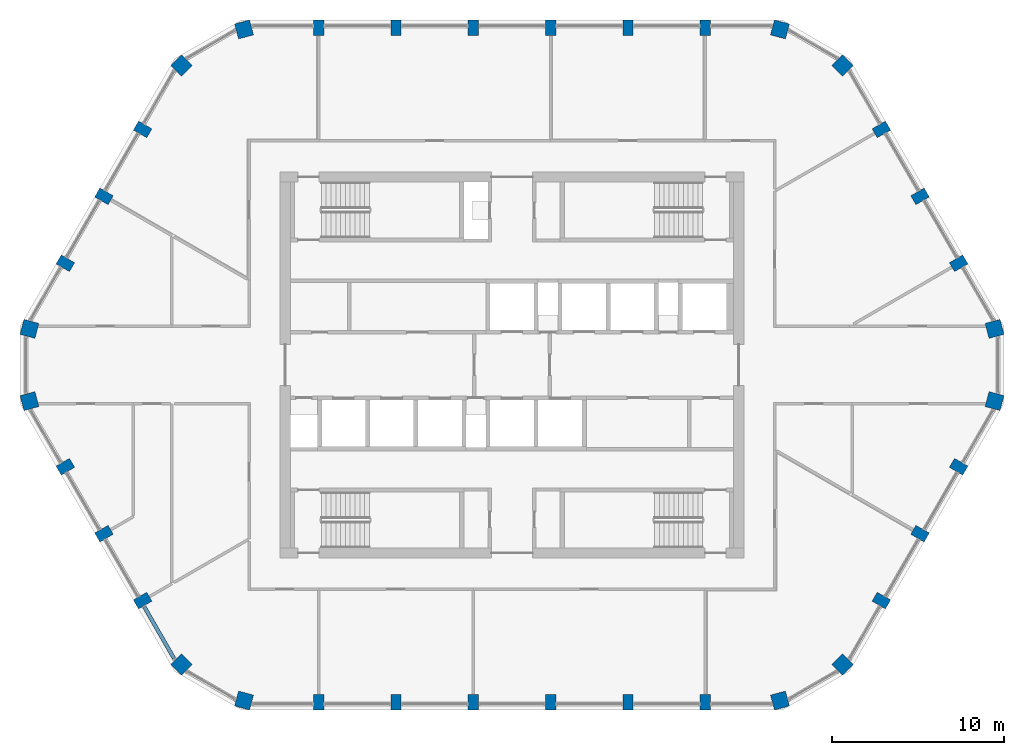
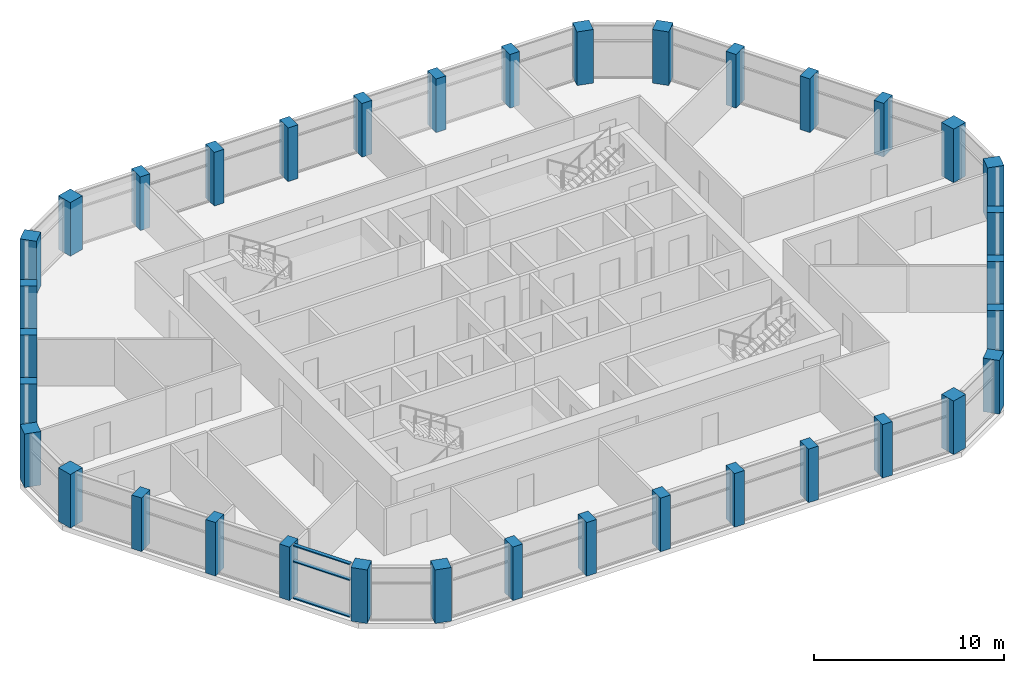
# One storey, part 1 of 15: 36 columns, 3 members, 1 element without a shape of its own.
"""IFC4 building model written with IfcOpenShell, lengths in metres."""

from ifc_helpers import new_model, si_unit, direction, frame, origin, origin_2d, place, context, subcontext, project, spatial, rectangle, extrude, material, layer, layer_set, material_profile, profile_set, type_object, element, aggregate, save


model = new_model("IFC4")

# Units and contexts
model_context = context("Model", 3, precision=1e-05, world=origin(), true_north=direction((0.0, 1.0)))
body_context = subcontext(model_context, "Body", "Model", "MODEL_VIEW")
ifc_project = project(units=[si_unit("LENGTHUNIT", "METRE"), si_unit("AREAUNIT", "SQUARE_METRE"), si_unit("VOLUMEUNIT", "CUBIC_METRE"), si_unit("PLANEANGLEUNIT", "RADIAN"), si_unit("MASSUNIT", "GRAM", prefix="KILO")], contexts=[model_context])

# Site, building, storey
site_placement = place(None, origin())
site = spatial("IfcSite", under=ifc_project, at=site_placement, CompositionType="ELEMENT")
building_placement = place(site_placement, origin())
building = spatial("IfcBuilding", under=site, at=building_placement, Name="Dhurran Vertical Campus", CompositionType="ELEMENT")
storey_placement = place(building_placement, frame((0.0, 0.0, 306.0)))
storey = spatial("IfcBuildingStorey", under=building, at=storey_placement, Name="L76", CompositionType="ELEMENT", Elevation=306.0)

# Columns
ifc_material_1 = material(Name="Concrete C50/60", Category="concrete")
ifc_material_profile_1 = material_profile(ifc_material_1, rectangle(XDim=0.60009765625, YDim=0.89990234375, at=origin_2d()), Name="RC 600x900")
ifc_profile_set_1 = profile_set([ifc_material_profile_1], Name="Concrete C50/60")
column_type_1 = type_object("IfcColumnType", Name="FR COL RC 600x900 C50/60", PredefinedType="COLUMN", material=ifc_profile_set_1)
for number, where, z_axis, x_axis, name in (
    (1, (-11.25, -19.638427734375, 0.0), (0.0, 0.0, 1.0), (1.0, 0.0, 0.0), "Perimeter pier PP6.01"),
    (2, (-6.75, -19.638427734375, 0.0), (0.0, 0.0, 1.0), (1.0, 0.0, 0.0), "Perimeter pier PP6.02"),
    (3, (-2.25, -19.638427734375, 0.0), (0.0, 0.0, 1.0), (1.0, 0.0, 0.0), "Perimeter pier PP6.03"),
    (4, (2.25, -19.638427734375, 0.0), (0.0, 0.0, 1.0), (1.0, 0.0, 0.0), "Perimeter pier PP6.04"),
    (5, (6.75, -19.638427734375, 0.0), (0.0, 0.0, 1.0), (1.0, 0.0, 0.0), "Perimeter pier PP6.05"),
    (6, (11.25, -19.638427734375, 0.0), (0.0, 0.0, 1.0), (1.0, 0.0, 0.0), "Perimeter pier PP6.06"),
    (7, (21.50732421875, -13.71630859375, 0.0), (0.0, 0.0, 1.0), (0.5, 0.866025403784, 0.0), "Perimeter pier PP6.09"),
    (8, (23.75732421875, -9.819091796875, 0.0), (0.0, 0.0, 1.0), (0.5, 0.866025403784, 0.0), "Perimeter pier PP6.10"),
    (9, (26.00732421875, -5.922119140625, 0.0), (0.0, 0.0, 1.0), (0.5, 0.866025403784, 0.0), "Perimeter pier PP6.11"),
    (10, (26.00732421875, 5.922119140625, 0.0), (0.0, 0.0, 1.0), (-0.5, 0.866025403784, 0.0), "Perimeter pier PP6.14"),
    (11, (23.75732421875, 9.819091796875, 0.0), (0.0, 0.0, 1.0), (-0.5, 0.866025403784, 0.0), "Perimeter pier PP6.15"),
    (12, (21.50732421875, 13.71630859375, 0.0), (0.0, 0.0, 1.0), (-0.5, 0.866025403784, 0.0), "Perimeter pier PP6.16"),
    (13, (11.25, 19.638427734375, 0.0), (0.0, 0.0, 1.0), (-1.0, 0.0, 0.0), "Perimeter pier PP6.19"),
    (14, (6.75, 19.638427734375, 0.0), (0.0, 0.0, 1.0), (-1.0, 0.0, 0.0), "Perimeter pier PP6.20"),
    (15, (2.25, 19.638427734375, 0.0), (0.0, 0.0, 1.0), (-1.0, 0.0, 0.0), "Perimeter pier PP6.21"),
    (16, (-2.25, 19.638427734375, 0.0), (0.0, 0.0, 1.0), (-1.0, 0.0, 0.0), "Perimeter pier PP6.22"),
    (17, (-6.75, 19.638427734375, 0.0), (0.0, 0.0, 1.0), (-1.0, 0.0, 0.0), "Perimeter pier PP6.23"),
    (18, (-11.25, 19.638427734375, 0.0), (0.0, 0.0, 1.0), (-1.0, 0.0, 0.0), "Perimeter pier PP6.24"),
    (19, (-21.50732421875, 13.71630859375, 0.0), (0.0, 0.0, 1.0), (-0.5, -0.866025403784, 0.0), "Perimeter pier PP6.27"),
    (20, (-23.75732421875, 9.819091796875, 0.0), (0.0, 0.0, 1.0), (-0.5, -0.866025403784, 0.0), "Perimeter pier PP6.28"),
    (21, (-26.00732421875, 5.922119140625, 0.0), (0.0, 0.0, 1.0), (-0.5, -0.866025403784, 0.0), "Perimeter pier PP6.29"),
    (22, (-26.00732421875, -5.922119140625, 0.0), (0.0, 0.0, 1.0), (0.5, -0.866025403784, 0.0), "Perimeter pier PP6.32"),
    (23, (-23.75732421875, -9.819091796875, 0.0), (0.0, 0.0, 1.0), (0.5, -0.866025403784, 0.0), "Perimeter pier PP6.33"),
    (24, (-21.50732421875, -13.71630859375, 0.0), (0.0, 0.0, 1.0), (0.5, -0.866025403784, 0.0), "Perimeter pier PP6.34"),
):
    element("IfcColumn", number, at=place(storey_placement, frame(where, z_axis=z_axis, x_axis=x_axis)), inside=storey, type_object=column_type_1, Name=name, PredefinedType="COLUMN", context=body_context, shape_type="SweptSolid", body=[
        extrude(rectangle(XDim=0.60009765625, YDim=0.89990234375, at=origin_2d()), origin(), (0.0, 0.0, 1.0), 3.449951171875),
    ])
ifc_material_2 = material(Name="Concrete C50/60", Category="concrete")
ifc_material_profile_2 = material_profile(ifc_material_2, rectangle(XDim=0.89990234375, YDim=0.89990234375, at=origin_2d()), Name="RC 900x900")
ifc_profile_set_2 = profile_set([ifc_material_profile_2], Name="Concrete C50/60")
column_type_2 = type_object("IfcColumnType", Name="FR COL RC 900x900 C50/60", PredefinedType="COLUMN", material=ifc_profile_set_2)
for number, where, z_axis, x_axis, name in (
    (25, (-15.602294921875, -19.537353515625, 0.0), (0.0, 0.0, 1.0), (0.965925826289, -0.258819045103, 0.0), "Perimeter pier PP6.00"),
    (26, (15.602294921875, -19.537353515625, 0.0), (0.0, 0.0, 1.0), (0.965925826289, 0.258819045103, 0.0), "Perimeter pier PP6.07"),
    (27, (19.24365234375, -17.43505859375, 0.0), (0.0, 0.0, 1.0), (0.707106781187, 0.707106781187, 0.0), "Perimeter pier PP6.08"),
    (28, (28.095947265625, -2.102294921875, 0.0), (0.0, 0.0, 1.0), (0.258819045103, 0.965925826289, 0.0), "Perimeter pier PP6.12"),
    (29, (28.095947265625, 2.102294921875, 0.0), (0.0, 0.0, 1.0), (-0.258819045103, 0.965925826289, 0.0), "Perimeter pier PP6.13"),
    (30, (19.24365234375, 17.43505859375, 0.0), (0.0, 0.0, 1.0), (-0.707106781187, 0.707106781187, 0.0), "Perimeter pier PP6.17"),
    (31, (15.602294921875, 19.537353515625, 0.0), (0.0, 0.0, 1.0), (-0.965925826289, 0.258819045103, 0.0), "Perimeter pier PP6.18"),
    (32, (-15.602294921875, 19.537353515625, 0.0), (0.0, 0.0, 1.0), (-0.965925826289, -0.258819045103, 0.0), "Perimeter pier PP6.25"),
    (33, (-19.24365234375, 17.43505859375, 0.0), (0.0, 0.0, 1.0), (-0.707106781187, -0.707106781187, 0.0), "Perimeter pier PP6.26"),
    (34, (-28.095947265625, 2.102294921875, 0.0), (0.0, 0.0, 1.0), (-0.258819045103, -0.965925826289, 0.0), "Perimeter pier PP6.30"),
    (35, (-28.095947265625, -2.102294921875, 0.0), (0.0, 0.0, 1.0), (0.258819045103, -0.965925826289, 0.0), "Perimeter pier PP6.31"),
    (36, (-19.24365234375, -17.43505859375, 0.0), (0.0, 0.0, 1.0), (0.707106781187, -0.707106781187, 0.0), "Perimeter pier PP6.35"),
):
    element("IfcColumn", number, at=place(storey_placement, frame(where, z_axis=z_axis, x_axis=x_axis)), inside=storey, type_object=column_type_2, Name=name, PredefinedType="COLUMN", context=body_context, shape_type="SweptSolid", body=[
        extrude(rectangle(XDim=0.89990234375, YDim=0.89990234375, at=origin_2d()), origin(), (0.0, 0.0, 1.0), 3.449951171875),
    ])

# Curtain wall, members
ifc_material_3 = material(Name="Aluminium frame with solar-control glass", Category="aluminium")
ifc_layer = layer(ifc_material_3, 0.219970703125)
ifc_layer_set = layer_set([ifc_layer], Name="Aluminium frame with solar-control glass")
curtain_wall_type = type_object("IfcCurtainWallType", Name="Student lounge glazing system", PredefinedType="NOTDEFINED", material=ifc_layer_set)
curtain_wall_placement = place(storey_placement, origin())
curtain_wall = element("IfcCurtainWall", 37, at=curtain_wall_placement, inside=storey, type_object=curtain_wall_type, Name="CW5 L76.34", PredefinedType="NOTDEFINED")
ifc_material_4 = material(Name="Aluminium transom", Category="aluminium")
ifc_material_profile_3 = material_profile(ifc_material_4, rectangle(XDim=0.219970703125, YDim=0.070068359375, at=origin_2d()), Name="Student lounge glazing system transom")
ifc_profile_set_3 = profile_set([ifc_material_profile_3], Name="Aluminium transom")
member_type = type_object("IfcMemberType", Name="Student lounge glazing system transom", PredefinedType="USERDEFINED", material=ifc_profile_set_3)
member_1_placement = place(storey_placement, frame((-21.40869140625, -14.087158203125, 0.034912109375), z_axis=(0.499934233803, -0.866063370586, 0.0), x_axis=(0.866063370586, 0.499934233803, 0.0)))
member_1 = element("IfcMember", 38, at=member_1_placement, type_object=member_type, Name="CW5 transom 1.1", ObjectType="TRANSOM", PredefinedType="USERDEFINED", context=body_context, shape_type="SweptSolid", body=[
    extrude(rectangle(XDim=0.219970703125, YDim=0.070068359375, at=origin_2d()), origin(), (0.0, 0.0, 1.0), 3.45947265625),
])
member_2_placement = place(storey_placement, frame((-21.40869140625, -14.087158203125, 2.39990234375), z_axis=(0.499934233803, -0.866063370586, 0.0), x_axis=(0.866063370586, 0.499934233803, 0.0)))
member_2 = element("IfcMember", 39, at=member_2_placement, type_object=member_type, Name="CW5 transom 1.2", ObjectType="TRANSOM", PredefinedType="USERDEFINED", context=body_context, shape_type="SweptSolid", body=[
    extrude(rectangle(XDim=0.219970703125, YDim=0.070068359375, at=origin_2d()), origin(), (0.0, 0.0, 1.0), 3.45947265625),
])
member_3_placement = place(storey_placement, frame((-21.40869140625, -14.087158203125, 3.4150390625), z_axis=(0.499934233803, -0.866063370586, 0.0), x_axis=(0.866063370586, 0.499934233803, 0.0)))
member_3 = element("IfcMember", 40, at=member_3_placement, type_object=member_type, Name="CW5 transom 1.3", ObjectType="TRANSOM", PredefinedType="USERDEFINED", context=body_context, shape_type="SweptSolid", body=[
    extrude(rectangle(XDim=0.219970703125, YDim=0.070068359375, at=origin_2d()), origin(), (0.0, 0.0, 1.0), 3.45947265625),
])
aggregate(curtain_wall, [member_1, member_2, member_3])

save(model, "model.ifc")
